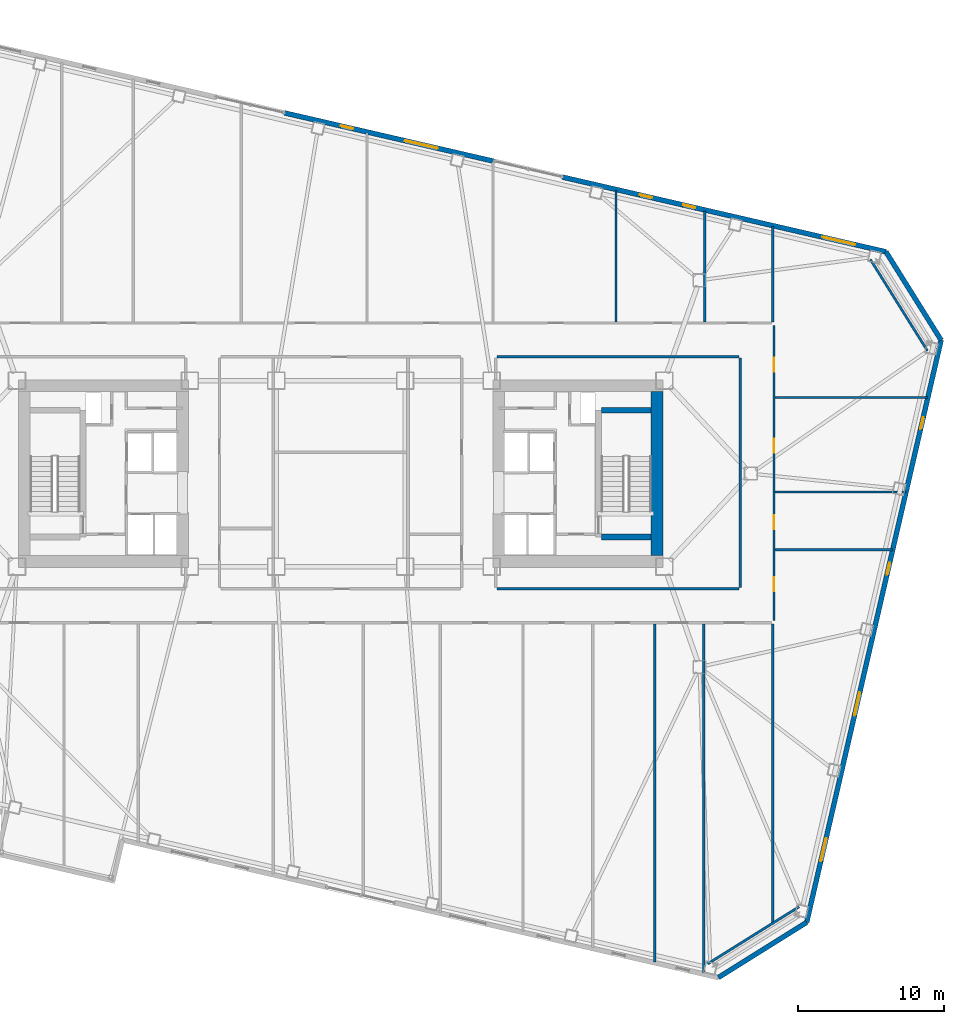
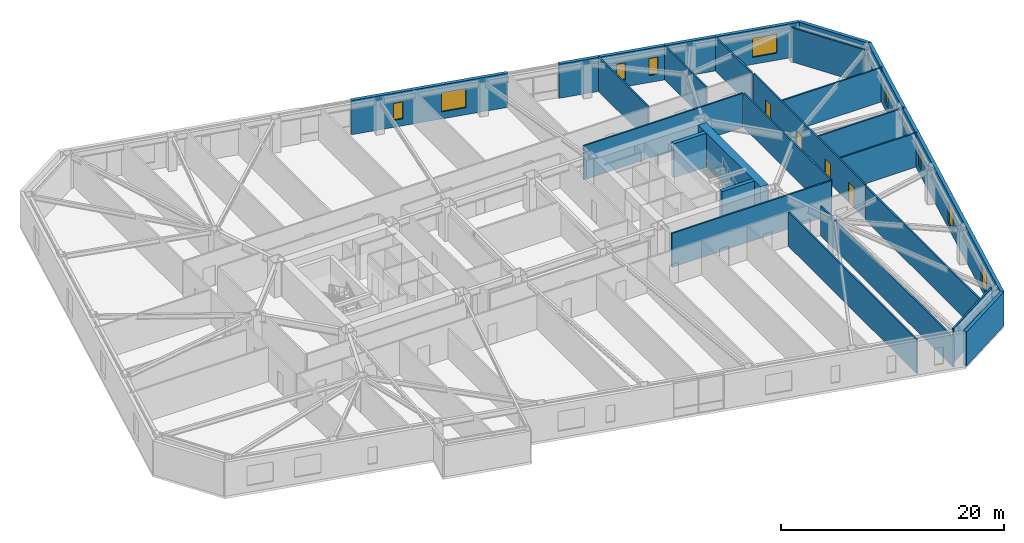
# One storey, part 12 of 18: 23 walls, 9 windows, 4 doors, 13 openings.
"""IFC4 building model written with IfcOpenShell, lengths in metres."""

from ifc_helpers import new_model, si_unit, direction, frame, frame_2d, origin, place, context, subcontext, project, spatial, rectangle, extrude, material, layer, layer_set, type_object, element, fill, save


model = new_model("IFC4")

# Units and contexts
model_context = context("Model", 3, precision=1e-05, world=origin(), true_north=direction((0.0, 1.0)))
body_context = subcontext(model_context, "Body", "Model", "MODEL_VIEW")
ifc_project = project(units=[si_unit("LENGTHUNIT", "METRE"), si_unit("AREAUNIT", "SQUARE_METRE"), si_unit("VOLUMEUNIT", "CUBIC_METRE"), si_unit("PLANEANGLEUNIT", "RADIAN"), si_unit("MASSUNIT", "GRAM", prefix="KILO")], contexts=[model_context])

# Site, building, storey
site_placement = place(None, origin())
site = spatial("IfcSite", under=ifc_project, at=site_placement, CompositionType="ELEMENT")
building_placement = place(site_placement, origin())
building = spatial("IfcBuilding", under=site, at=building_placement, Name="Tavrogorsk Clinical Tower", CompositionType="ELEMENT")
storey_placement = place(building_placement, frame((0.0, 0.0, 51.39990234375)))
storey = spatial("IfcBuildingStorey", under=building, at=storey_placement, Name="L10", CompositionType="ELEMENT", Elevation=51.39990234375)

# Walls
ifc_material_1 = material(Name="Lightweight concrete blockwork B15", Category="masonry")
ifc_layer_1 = layer(ifc_material_1, 0.159912109375)
ifc_layer_set_1 = layer_set([ifc_layer_1], Name="Lightweight concrete blockwork B15")
wall_type_1 = type_object("IfcWallType", Name="PartitionWall_160", PredefinedType="PARTITIONING", material=ifc_layer_set_1)
for number, where, z_axis, x_axis, name in (
    (1, (25.0595703125, -33.46826171875, 0.0), (0.0, 0.0, 1.0), (0.848043064089, 0.529927317139, 0.0), "L10 Corner Exoskeleton Brace Furring Wall 1"),
    (2, (40.059814453125, 8.389404296875, 0.0), (0.0, 0.0, 1.0), (-0.529927317139, 0.848043064089, 0.0), "L10 Corner Exoskeleton Brace Furring Wall 2"),
):
    element("IfcWall", number, at=place(storey_placement, frame(where, z_axis=z_axis, x_axis=x_axis)), inside=storey, type_object=wall_type_1, Name=name, PredefinedType="PARTITIONING", context=body_context, shape_type="SweptSolid", body=[
        extrude(rectangle(XDim=7.353759765625, YDim=0.159912109375, at=frame_2d((3.6767578125, 0.0))), origin(), (0.0, 0.0, 1.0), 3.739990234375),
    ])

# Wall, openings, doors
wall_1_placement = place(storey_placement, frame((29.580078125, 10.114990234375, 0.0), z_axis=(0.0, 0.0, 1.0), x_axis=(0.0, -1.0, 0.0)))
wall_1 = element("IfcWall", 3, at=wall_1_placement, inside=storey, type_object=wall_type_1, Name="L10 Corridor Partition 03", PredefinedType="PARTITIONING", context=body_context, shape_type="SweptSolid", body=[
    extrude(rectangle(XDim=20.1298828125, YDim=0.159912109375, at=frame_2d((10.06494140625, 0.0))), origin(), (0.0, 0.0, 1.0), 3.739990234375),
])
opening_1_placement = place(wall_1_placement, frame((17.180908203125, 0.0, 0.0)))
opening_1 = element("IfcOpeningElement", 4, at=opening_1_placement, cuts=wall_1, Name="Opening ID-02", PredefinedType="OPENING", context=body_context, shape_type="SweptSolid", body=[
    extrude(rectangle(XDim=0.949951171875, YDim=2.199951171875, at=frame_2d((0.47509765625, 1.10009765625))), frame((0.0, 0.08984375, 0.0), z_axis=(0.0, -1.0, 0.0), x_axis=(1.0, 0.0, 0.0)), (0.0, 0.0, 1.0), 0.179931640625),
])
opening_2_placement = place(wall_1_placement, frame((12.949951171875, 0.0, 0.0)))
opening_2 = element("IfcOpeningElement", 5, at=opening_2_placement, cuts=wall_1, Name="Opening ID-02", PredefinedType="OPENING", context=body_context, shape_type="SweptSolid", body=[
    extrude(rectangle(XDim=0.949951171875, YDim=2.199951171875, at=frame_2d((0.47509765625, 1.10009765625))), frame((0.0, 0.08984375, 0.0), z_axis=(0.0, -1.0, 0.0), x_axis=(1.0, 0.0, 0.0)), (0.0, 0.0, 1.0), 0.179931640625),
])
opening_3_placement = place(wall_1_placement, frame((7.75, 0.0, 0.0)))
opening_3 = element("IfcOpeningElement", 6, at=opening_3_placement, cuts=wall_1, Name="Opening ID-02", PredefinedType="OPENING", context=body_context, shape_type="SweptSolid", body=[
    extrude(rectangle(XDim=0.949951171875, YDim=2.199951171875, at=frame_2d((0.47509765625, 1.10009765625))), frame((0.0, 0.08984375, 0.0), z_axis=(0.0, -1.0, 0.0), x_axis=(1.0, 0.0, 0.0)), (0.0, 0.0, 1.0), 0.179931640625),
])
opening_4_placement = place(wall_1_placement, frame((2.218994140625, 0.0, 0.0)))
opening_4 = element("IfcOpeningElement", 7, at=opening_4_placement, cuts=wall_1, Name="Opening ID-02", PredefinedType="OPENING", context=body_context, shape_type="SweptSolid", body=[
    extrude(rectangle(XDim=0.949951171875, YDim=2.199951171875, at=frame_2d((0.47509765625, 1.10009765625))), frame((0.0, 0.08984375, 0.0), z_axis=(0.0, -1.0, 0.0), x_axis=(1.0, 0.0, 0.0)), (0.0, 0.0, 1.0), 0.179931640625),
])
ifc_material_2 = material(Name="Laminated timber leaf on aluminium frame", Category="wood")
door_type = type_object("IfcDoorType", Name="InteriorDoor_ID02_950", OperationType="NOTDEFINED", PredefinedType="DOOR", material=ifc_material_2)
door_1_placement = place(opening_1_placement, origin())
door_1 = element("IfcDoor", 8, at=door_1_placement, inside=storey, type_object=door_type, Name="L10 E Senior Clinician Suite 1 Door", OperationType="SINGLE_SWING_LEFT", OverallHeight=2.199951171875, OverallWidth=0.949951171875, PredefinedType="DOOR", context=body_context, shape_type="SweptSolid", body=[
    extrude(rectangle(XDim=0.949951171875, YDim=2.199951171875, at=frame_2d((0.47509765625, 1.10009765625))), frame((0.0, 0.02490234375, 0.0), z_axis=(0.0, -1.0, 0.0), x_axis=(1.0, 0.0, 0.0)), (0.0, 0.0, 1.0), 0.050048828125),
])
fill(opening_1, door_1)
door_2_placement = place(opening_2_placement, origin())
door_2 = element("IfcDoor", 9, at=door_2_placement, inside=storey, type_object=door_type, Name="L10 E Multidisciplinary Seminar Suite 2 Door", OperationType="SINGLE_SWING_RIGHT", OverallHeight=2.199951171875, OverallWidth=0.949951171875, PredefinedType="DOOR", context=body_context, shape_type="SweptSolid", body=[
    extrude(rectangle(XDim=0.949951171875, YDim=2.199951171875, at=frame_2d((0.47509765625, 1.10009765625))), frame((0.0, 0.02490234375, 0.0), z_axis=(0.0, -1.0, 0.0), x_axis=(1.0, 0.0, 0.0)), (0.0, 0.0, 1.0), 0.050048828125),
])
fill(opening_2, door_2)
door_3_placement = place(opening_3_placement, origin())
door_3 = element("IfcDoor", 10, at=door_3_placement, inside=storey, type_object=door_type, Name="L10 E Specialist Consultation Room 3 Door", OperationType="SINGLE_SWING_LEFT", OverallHeight=2.199951171875, OverallWidth=0.949951171875, PredefinedType="DOOR", context=body_context, shape_type="SweptSolid", body=[
    extrude(rectangle(XDim=0.949951171875, YDim=2.199951171875, at=frame_2d((0.47509765625, 1.10009765625))), frame((0.0, 0.02490234375, 0.0), z_axis=(0.0, -1.0, 0.0), x_axis=(1.0, 0.0, 0.0)), (0.0, 0.0, 1.0), 0.050048828125),
])
fill(opening_3, door_3)
door_4_placement = place(opening_4_placement, origin())
door_4 = element("IfcDoor", 11, at=door_4_placement, inside=storey, type_object=door_type, Name="L10 E Clinical Fellows' Study 4 Door", OperationType="SINGLE_SWING_RIGHT", OverallHeight=2.199951171875, OverallWidth=0.949951171875, PredefinedType="DOOR", context=body_context, shape_type="SweptSolid", body=[
    extrude(rectangle(XDim=0.949951171875, YDim=2.199951171875, at=frame_2d((0.47509765625, 1.10009765625))), frame((0.0, 0.02490234375, 0.0), z_axis=(0.0, -1.0, 0.0), x_axis=(1.0, 0.0, 0.0)), (0.0, 0.0, 1.0), 0.050048828125),
])
fill(opening_4, door_4)

# Walls
for number, where, z_axis, x_axis, name in (
    (12, (27.18505859375, 7.969970703125, 0.0), (0.0, 0.0, 1.0), (-1.0, 0.0, 0.0), "L10 Corridor Partition 05"),
    (13, (10.6650390625, -7.8701171875, 0.0), (0.0, 0.0, 1.0), (1.0, 0.0, 0.0), "L10 Corridor Partition 08"),
):
    element("IfcWall", number, at=place(storey_placement, frame(where, z_axis=z_axis, x_axis=x_axis)), inside=storey, type_object=wall_type_1, Name=name, PredefinedType="PARTITIONING", context=body_context, shape_type="SweptSolid", body=[
        extrude(rectangle(XDim=16.52001953125, YDim=0.159912109375, at=frame_2d((8.260009765625, 0.0))), origin(), (0.0, 0.0, 1.0), 3.739990234375),
    ])
wall_2_placement = place(storey_placement, frame((27.27001953125, -7.784912109375, 0.0), z_axis=(0.0, 0.0, 1.0), x_axis=(0.0, 1.0, 0.0)))
element("IfcWall", 14, at=wall_2_placement, inside=storey, type_object=wall_type_1, Name="L10 Corridor Partition 09", PredefinedType="PARTITIONING", context=body_context, shape_type="SweptSolid", body=[
    extrude(rectangle(XDim=15.669921875, YDim=0.159912109375, at=frame_2d((7.8349609375, 0.0))), origin(), (0.0, 0.0, 1.0), 3.739990234375),
])
wall_3_placement = place(storey_placement, frame((29.5, 10.364990234375, 0.0), z_axis=(0.0, 0.0, 1.0), x_axis=(0.0, 1.0, 0.0)))
element("IfcWall", 15, at=wall_3_placement, inside=storey, type_object=wall_type_1, Name="L10 NE Wing Closure Partition", PredefinedType="PARTITIONING", context=body_context, shape_type="SweptSolid", body=[
    extrude(rectangle(XDim=6.497314453125, YDim=0.159912109375, at=frame_2d((3.24853515625, 0.0))), origin(), (0.0, 0.0, 1.0), 3.739990234375),
])
wall_4_placement = place(storey_placement, frame((29.5, -30.702880859375, 0.0), z_axis=(0.0, 0.0, 1.0), x_axis=(0.0, 1.0, 0.0)))
element("IfcWall", 16, at=wall_4_placement, inside=storey, type_object=wall_type_1, Name="L10 SE Wing Closure Partition", PredefinedType="PARTITIONING", context=body_context, shape_type="SweptSolid", body=[
    extrude(rectangle(XDim=20.43798828125, YDim=0.159912109375, at=frame_2d((10.218994140625, 0.0))), origin(), (0.0, 0.0, 1.0), 3.739990234375),
])
wall_5_placement = place(storey_placement, frame((18.800048828125, 10.364990234375, 0.0), z_axis=(0.0, 0.0, 1.0), x_axis=(0.0, 1.0, 0.0)))
element("IfcWall", 17, at=wall_5_placement, inside=storey, type_object=wall_type_1, Name="L10 North Room Partition 6", PredefinedType="PARTITIONING", context=body_context, shape_type="SweptSolid", body=[
    extrude(rectangle(XDim=8.9677734375, YDim=0.159912109375, at=frame_2d((4.48388671875, 0.0))), origin(), (0.0, 0.0, 1.0), 3.739990234375),
])
wall_6_placement = place(storey_placement, frame((24.85009765625, 10.364990234375, 0.0), z_axis=(0.0, 0.0, 1.0), x_axis=(0.0, 1.0, 0.0)))
element("IfcWall", 18, at=wall_6_placement, inside=storey, type_object=wall_type_1, Name="L10 North Room Partition 7", PredefinedType="PARTITIONING", context=body_context, shape_type="SweptSolid", body=[
    extrude(rectangle(XDim=7.57080078125, YDim=0.159912109375, at=frame_2d((3.785400390625, 0.0))), origin(), (0.0, 0.0, 1.0), 3.739990234375),
])
wall_7_placement = place(storey_placement, frame((24.800048828125, -34.106689453125, 0.0), z_axis=(0.0, 0.0, 1.0), x_axis=(0.0, 1.0, 0.0)))
element("IfcWall", 19, at=wall_7_placement, inside=storey, type_object=wall_type_1, Name="L10 South Room Partition 6", PredefinedType="PARTITIONING", context=body_context, shape_type="SweptSolid", body=[
    extrude(rectangle(XDim=23.841796875, YDim=0.159912109375, at=frame_2d((11.9208984375, 0.0))), origin(), (0.0, 0.0, 1.0), 3.235107421875),
])
wall_8_placement = place(storey_placement, frame((21.449951171875, -33.333251953125, 0.0), z_axis=(0.0, 0.0, 1.0), x_axis=(0.0, 1.0, 0.0)))
element("IfcWall", 20, at=wall_8_placement, inside=storey, type_object=wall_type_1, Name="L10 South Sub-Partition 6", PredefinedType="PARTITIONING", context=body_context, shape_type="SweptSolid", body=[
    extrude(rectangle(XDim=23.068359375, YDim=0.159912109375, at=frame_2d((11.5341796875, 0.0))), origin(), (0.0, 0.0, 1.0), 3.739990234375),
])
wall_9_placement = place(storey_placement, frame((29.6650390625, -5.199951171875, 0.0), z_axis=(0.0, 0.0, 1.0), x_axis=(1.0, 0.0, 0.0)))
element("IfcWall", 21, at=wall_9_placement, inside=storey, type_object=wall_type_1, Name="L10 E Wing Divider 1", PredefinedType="PARTITIONING", context=body_context, shape_type="SweptSolid", body=[
    extrude(rectangle(XDim=8.007080078125, YDim=0.159912109375, at=frame_2d((4.00341796875, 0.0))), origin(), (0.0, 0.0, 1.0), 3.739990234375),
])
wall_10_placement = place(storey_placement, frame((29.6650390625, -1.25, 0.0), z_axis=(0.0, 0.0, 1.0), x_axis=(1.0, 0.0, 0.0)))
element("IfcWall", 22, at=wall_10_placement, inside=storey, type_object=wall_type_1, Name="L10 E Wing Divider 2", PredefinedType="PARTITIONING", context=body_context, shape_type="SweptSolid", body=[
    extrude(rectangle(XDim=8.9189453125, YDim=0.159912109375, at=frame_2d((4.45947265625, 0.0))), origin(), (0.0, 0.0, 1.0), 3.739990234375),
])
wall_11_placement = place(storey_placement, frame((29.6650390625, 5.199951171875, 0.0), z_axis=(0.0, 0.0, 1.0), x_axis=(1.0, 0.0, 0.0)))
element("IfcWall", 23, at=wall_11_placement, inside=storey, type_object=wall_type_1, Name="L10 E Wing Divider 3", PredefinedType="PARTITIONING", context=body_context, shape_type="SweptSolid", body=[
    extrude(rectangle(XDim=10.408203125, YDim=0.159912109375, at=frame_2d((5.2041015625, 0.0))), origin(), (0.0, 0.0, 1.0), 3.739990234375),
])

# Wall, openings, windows
ifc_material_3 = material(Name="Precast concrete B45 with limestone cladding", Category="masonry")
ifc_layer_2 = layer(ifc_material_3, 0.340087890625)
ifc_layer_set_2 = layer_set([ifc_layer_2], Name="Precast concrete B45 with limestone cladding")
wall_type_2 = type_object("IfcWallType", Name="PrecastLimestoneWall_340", PredefinedType="STANDARD", material=ifc_layer_set_2)
wall_12_placement = place(storey_placement, frame((37.228515625, 15.14990234375, 0.0), z_axis=(0.0, 0.0, 1.0), x_axis=(-0.97436993772, 0.224951604723, 0.0)))
wall_12 = element("IfcWall", 24, at=wall_12_placement, inside=storey, type_object=wall_type_2, Name="L10 N Limestone Facade Wall 1", PredefinedType="STANDARD", context=body_context, shape_type="SweptSolid", body=[
    extrude(rectangle(XDim=22.6513671875, YDim=0.340087890625, at=frame_2d((11.32568359375, 0.0))), origin(), (0.0, 0.0, 1.0), 3.739990234375),
])
opening_5_placement = place(wall_12_placement, frame((16.39501953125, 0.0, 0.77001953125)))
opening_5 = element("IfcOpeningElement", 25, at=opening_5_placement, cuts=wall_12, Name="Opening WN-06", PredefinedType="OPENING", context=body_context, shape_type="SweptSolid", body=[
    extrude(rectangle(XDim=0.85009765625, YDim=1.85009765625, at=frame_2d((0.425048828125, 0.925048828125))), frame((0.0, 0.179931640625, 0.0), z_axis=(0.0, -1.0, 0.0), x_axis=(1.0, 0.0, 0.0)), (0.0, 0.0, 1.0), 0.360107421875),
])
opening_6_placement = place(wall_12_placement, frame((13.360595703125, 0.0, 0.77001953125)))
opening_6 = element("IfcOpeningElement", 26, at=opening_6_placement, cuts=wall_12, Name="Opening WN-06", PredefinedType="OPENING", context=body_context, shape_type="SweptSolid", body=[
    extrude(rectangle(XDim=0.85009765625, YDim=1.85009765625, at=frame_2d((0.425048828125, 0.925048828125))), frame((0.0, 0.179931640625, 0.0), z_axis=(0.0, -1.0, 0.0), x_axis=(1.0, 0.0, 0.0)), (0.0, 0.0, 1.0), 0.360107421875),
])
opening_7_placement = place(wall_12_placement, frame((2.162109375, 0.0, 0.77001953125)))
opening_7 = element("IfcOpeningElement", 27, at=opening_7_placement, cuts=wall_12, Name="Opening WN-12", PredefinedType="OPENING", context=body_context, shape_type="SweptSolid", body=[
    extrude(rectangle(XDim=2.300048828125, YDim=2.10009765625, at=frame_2d((1.14990234375, 1.050048828125))), frame((0.0, 0.179931640625, 0.0), z_axis=(0.0, -1.0, 0.0), x_axis=(1.0, 0.0, 0.0)), (0.0, 0.0, 1.0), 0.360107421875),
])
ifc_material_4 = material(Name="Thermally broken aluminium frame and triple IGU", Category="aluminium")
window_type_1 = type_object("IfcWindowType", Name="MullionSubWin_850x1850", PartitioningType="SINGLE_PANEL", PredefinedType="WINDOW", material=ifc_material_4)
window_1_placement = place(opening_5_placement, origin())
window_1 = element("IfcWindow", 28, at=window_1_placement, inside=storey, type_object=window_type_1, Name="L10 N Mullion Split Window 07A", OverallHeight=1.85009765625, OverallWidth=0.85009765625, PartitioningType="SINGLE_PANEL", PredefinedType="WINDOW", context=body_context, shape_type="SweptSolid", body=[
    extrude(rectangle(XDim=0.85009765625, YDim=1.85009765625, at=frame_2d((0.425048828125, 0.925048828125))), frame((0.0, 0.030029296875, 0.0), z_axis=(0.0, -1.0, 0.0), x_axis=(1.0, 0.0, 0.0)), (0.0, 0.0, 1.0), 0.06005859375),
])
fill(opening_5, window_1)
window_2_placement = place(opening_6_placement, origin())
window_2 = element("IfcWindow", 29, at=window_2_placement, inside=storey, type_object=window_type_1, Name="L10 N Mullion Split Window 08B", OverallHeight=1.85009765625, OverallWidth=0.85009765625, PartitioningType="SINGLE_PANEL", PredefinedType="WINDOW", context=body_context, shape_type="SweptSolid", body=[
    extrude(rectangle(XDim=0.85009765625, YDim=1.85009765625, at=frame_2d((0.425048828125, 0.925048828125))), frame((0.0, 0.030029296875, 0.0), z_axis=(0.0, -1.0, 0.0), x_axis=(1.0, 0.0, 0.0)), (0.0, 0.0, 1.0), 0.06005859375),
])
fill(opening_6, window_2)
ifc_material_5 = material(Name="Thermally broken aluminium frame and triple IGU", Category="aluminium")
window_type_2 = type_object("IfcWindowType", Name="RecoveryWin_2300x2100", PartitioningType="DOUBLE_PANEL_VERTICAL", PredefinedType="WINDOW", material=ifc_material_5)
window_3_placement = place(opening_7_placement, origin())
window_3 = element("IfcWindow", 30, at=window_3_placement, inside=storey, type_object=window_type_2, Name="L10 N Chicago Window 10", OverallHeight=2.10009765625, OverallWidth=2.300048828125, PartitioningType="SINGLE_PANEL", PredefinedType="WINDOW", context=body_context, shape_type="SweptSolid", body=[
    extrude(rectangle(XDim=2.300048828125, YDim=2.10009765625, at=frame_2d((1.14990234375, 1.050048828125))), frame((0.0, 0.030029296875, 0.0), z_axis=(0.0, -1.0, 0.0), x_axis=(1.0, 0.0, 0.0)), (0.0, 0.0, 1.0), 0.06005859375),
])
fill(opening_7, window_3)

wall_13_placement = place(storey_placement, frame((10.480712890625, 21.3251953125, 0.0), z_axis=(0.0, 0.0, 1.0), x_axis=(-0.974369353393, 0.2249541357, 0.0)))
wall_13 = element("IfcWall", 31, at=wall_13_placement, inside=storey, type_object=wall_type_2, Name="L10 N Limestone Facade Wall 2", PredefinedType="STANDARD", context=body_context, shape_type="SweptSolid", body=[
    extrude(rectangle(XDim=14.697021484375, YDim=0.340087890625, at=frame_2d((7.3486328125, 0.0))), origin(), (0.0, 0.0, 1.0), 3.739990234375),
])
opening_8_placement = place(wall_13_placement, frame((9.890869140625, 0.0, 0.77001953125)))
opening_8 = element("IfcOpeningElement", 32, at=opening_8_placement, cuts=wall_13, Name="Opening WN-06", PredefinedType="OPENING", context=body_context, shape_type="SweptSolid", body=[
    extrude(rectangle(XDim=0.85009765625, YDim=1.85009765625, at=frame_2d((0.425048828125, 0.925048828125))), frame((0.0, 0.179931640625, 0.0), z_axis=(0.0, -1.0, 0.0), x_axis=(1.0, 0.0, 0.0)), (0.0, 0.0, 1.0), 0.360107421875),
])
opening_9_placement = place(wall_13_placement, frame((3.956298828125, 0.0, 0.77001953125)))
opening_9 = element("IfcOpeningElement", 33, at=opening_9_placement, cuts=wall_13, Name="Opening WN-12", PredefinedType="OPENING", context=body_context, shape_type="SweptSolid", body=[
    extrude(rectangle(XDim=2.300048828125, YDim=2.10009765625, at=frame_2d((1.14990234375, 1.050048828125))), frame((0.0, 0.179931640625, 0.0), z_axis=(0.0, -1.0, 0.0), x_axis=(1.0, 0.0, 0.0)), (0.0, 0.0, 1.0), 0.360107421875),
])
window_4_placement = place(opening_8_placement, origin())
window_4 = element("IfcWindow", 34, at=window_4_placement, inside=storey, type_object=window_type_1, Name="L10 N Mullion Split Window 05B", OverallHeight=1.85009765625, OverallWidth=0.85009765625, PartitioningType="SINGLE_PANEL", PredefinedType="WINDOW", context=body_context, shape_type="SweptSolid", body=[
    extrude(rectangle(XDim=0.85009765625, YDim=1.85009765625, at=frame_2d((0.425048828125, 0.925048828125))), frame((0.0, 0.030029296875, 0.0), z_axis=(0.0, -1.0, 0.0), x_axis=(1.0, 0.0, 0.0)), (0.0, 0.0, 1.0), 0.06005859375),
])
fill(opening_8, window_4)
window_5_placement = place(opening_9_placement, origin())
window_5 = element("IfcWindow", 35, at=window_5_placement, inside=storey, type_object=window_type_2, Name="L10 N Chicago Window 06", OverallHeight=2.10009765625, OverallWidth=2.300048828125, PartitioningType="SINGLE_PANEL", PredefinedType="WINDOW", context=body_context, shape_type="SweptSolid", body=[
    extrude(rectangle(XDim=2.300048828125, YDim=2.10009765625, at=frame_2d((1.14990234375, 1.050048828125))), frame((0.0, 0.030029296875, 0.0), z_axis=(0.0, -1.0, 0.0), x_axis=(1.0, 0.0, 0.0)), (0.0, 0.0, 1.0), 0.06005859375),
])
fill(opening_9, window_5)

wall_14_placement = place(storey_placement, frame((31.820068359375, -30.636962890625, 0.0), z_axis=(0.0, 0.0, 1.0), x_axis=(0.224949969076, 0.974370315338, 0.0)))
wall_14 = element("IfcWall", 36, at=wall_14_placement, inside=storey, type_object=wall_type_2, Name="L10 E Pleated Limestone Wing Wall", PredefinedType="STANDARD", context=body_context, shape_type="SweptSolid", body=[
    extrude(rectangle(XDim=40.800048828125, YDim=0.340087890625, at=frame_2d((20.39990234375, 0.0))), origin(), (0.0, 0.0, 1.0), 3.739990234375),
])
opening_10_placement = place(wall_14_placement, frame((4.300048828125, 0.0, 0.580078125)))
opening_10 = element("IfcOpeningElement", 37, at=opening_10_placement, cuts=wall_14, Name="Opening WN-07", PredefinedType="OPENING", context=body_context, shape_type="SweptSolid", body=[
    extrude(rectangle(XDim=1.60009765625, YDim=2.300048828125, at=frame_2d((0.800048828125, 1.14990234375))), frame((0.0, 0.179931640625, 0.0), z_axis=(0.0, -1.0, 0.0), x_axis=(1.0, 0.0, 0.0)), (0.0, 0.0, 1.0), 0.360107421875),
])
opening_11_placement = place(wall_14_placement, frame((14.5, 0.0, 0.580078125)))
opening_11 = element("IfcOpeningElement", 38, at=opening_11_placement, cuts=wall_14, Name="Opening WN-07", PredefinedType="OPENING", context=body_context, shape_type="SweptSolid", body=[
    extrude(rectangle(XDim=1.60009765625, YDim=2.300048828125, at=frame_2d((0.800048828125, 1.14990234375))), frame((0.0, 0.179931640625, 0.0), z_axis=(0.0, -1.0, 0.0), x_axis=(1.0, 0.0, 0.0)), (0.0, 0.0, 1.0), 0.360107421875),
])
opening_12_placement = place(wall_14_placement, frame((24.35009765625, 0.0, 0.75)))
opening_12 = element("IfcOpeningElement", 39, at=opening_12_placement, cuts=wall_14, Name="Opening WN-06", PredefinedType="OPENING", context=body_context, shape_type="SweptSolid", body=[
    extrude(rectangle(XDim=0.85009765625, YDim=1.85009765625, at=frame_2d((0.425048828125, 0.925048828125))), frame((0.0, 0.179931640625, 0.0), z_axis=(0.0, -1.0, 0.0), x_axis=(1.0, 0.0, 0.0)), (0.0, 0.0, 1.0), 0.360107421875),
])
opening_13_placement = place(wall_14_placement, frame((34.550048828125, 0.0, 0.75)))
opening_13 = element("IfcOpeningElement", 40, at=opening_13_placement, cuts=wall_14, Name="Opening WN-06", PredefinedType="OPENING", context=body_context, shape_type="SweptSolid", body=[
    extrude(rectangle(XDim=0.85009765625, YDim=1.85009765625, at=frame_2d((0.425048828125, 0.925048828125))), frame((0.0, 0.179931640625, 0.0), z_axis=(0.0, -1.0, 0.0), x_axis=(1.0, 0.0, 0.0)), (0.0, 0.0, 1.0), 0.360107421875),
])
window_6_placement = place(opening_12_placement, origin())
window_6 = element("IfcWindow", 41, at=window_6_placement, inside=storey, type_object=window_type_1, Name="L10 E Pleat Mullion Window 3A", OverallHeight=1.85009765625, OverallWidth=0.85009765625, PartitioningType="SINGLE_PANEL", PredefinedType="WINDOW", context=body_context, shape_type="SweptSolid", body=[
    extrude(rectangle(XDim=0.85009765625, YDim=1.85009765625, at=frame_2d((0.425048828125, 0.925048828125))), frame((0.0, 0.030029296875, 0.0), z_axis=(0.0, -1.0, 0.0), x_axis=(1.0, 0.0, 0.0)), (0.0, 0.0, 1.0), 0.06005859375),
])
fill(opening_12, window_6)
window_7_placement = place(opening_13_placement, origin())
window_7 = element("IfcWindow", 42, at=window_7_placement, inside=storey, type_object=window_type_1, Name="L10 E Pleat Mullion Window 4A", OverallHeight=1.85009765625, OverallWidth=0.85009765625, PartitioningType="SINGLE_PANEL", PredefinedType="WINDOW", context=body_context, shape_type="SweptSolid", body=[
    extrude(rectangle(XDim=0.85009765625, YDim=1.85009765625, at=frame_2d((0.425048828125, 0.925048828125))), frame((0.0, 0.030029296875, 0.0), z_axis=(0.0, -1.0, 0.0), x_axis=(1.0, 0.0, 0.0)), (0.0, 0.0, 1.0), 0.06005859375),
])
fill(opening_13, window_7)
ifc_material_6 = material(Name="Thermally broken aluminium frame and triple IGU", Category="aluminium")
window_type_3 = type_object("IfcWindowType", Name="PleatSlotWin_1600x2300", PartitioningType="SINGLE_PANEL", PredefinedType="WINDOW", material=ifc_material_6)
window_8_placement = place(opening_10_placement, origin())
window_8 = element("IfcWindow", 43, at=window_8_placement, inside=storey, type_object=window_type_3, Name="L10 E Pleat Slot Window 1", OverallHeight=2.300048828125, OverallWidth=1.60009765625, PartitioningType="SINGLE_PANEL", PredefinedType="WINDOW", context=body_context, shape_type="SweptSolid", body=[
    extrude(rectangle(XDim=1.60009765625, YDim=2.300048828125, at=frame_2d((0.800048828125, 1.14990234375))), frame((0.0, 0.030029296875, 0.0), z_axis=(0.0, -1.0, 0.0), x_axis=(1.0, 0.0, 0.0)), (0.0, 0.0, 1.0), 0.06005859375),
])
fill(opening_10, window_8)
window_9_placement = place(opening_11_placement, origin())
window_9 = element("IfcWindow", 44, at=window_9_placement, inside=storey, type_object=window_type_3, Name="L10 E Pleat Slot Window 2", OverallHeight=2.300048828125, OverallWidth=1.60009765625, PartitioningType="SINGLE_PANEL", PredefinedType="WINDOW", context=body_context, shape_type="SweptSolid", body=[
    extrude(rectangle(XDim=1.60009765625, YDim=2.300048828125, at=frame_2d((0.800048828125, 1.14990234375))), frame((0.0, 0.030029296875, 0.0), z_axis=(0.0, -1.0, 0.0), x_axis=(1.0, 0.0, 0.0)), (0.0, 0.0, 1.0), 0.06005859375),
])
fill(opening_11, window_9)

# Walls
for number, where, z_axis, x_axis, name in (
    (45, (25.78759765625, -34.406494140625, 0.0), (0.0, 0.0, 1.0), (0.848046504656, 0.529921811158, 0.0), "L10 Chamfered Corner Wall 1"),
    (46, (40.998046875, 9.117431640625, 0.0), (0.0, 0.0, 1.0), (-0.529921811158, 0.848046504656, 0.0), "L10 Chamfered Corner Wall 2"),
):
    element("IfcWall", number, at=place(storey_placement, frame(where, z_axis=z_axis, x_axis=x_axis)), inside=storey, type_object=wall_type_2, Name=name, PredefinedType="STANDARD", context=body_context, shape_type="SweptSolid", body=[
        extrude(rectangle(XDim=7.11328125, YDim=0.340087890625, at=frame_2d((3.556640625, 0.0))), origin(), (0.0, 0.0, 1.0), 3.739990234375),
    ])
ifc_material_7 = material(Name="Concrete B80", Category="concrete")
ifc_layer_3 = layer(ifc_material_7, 0.39990234375)
ifc_layer_set_3 = layer_set([ifc_layer_3], Name="Concrete B80")
wall_type_3 = type_object("IfcWallType", Name="ShearWall_400", PredefinedType="SHEAR", material=ifc_layer_set_3)
for number, where, z_axis, x_axis, name in (
    (47, (17.800048828125, -4.324951171875, 0.0), (0.0, 0.0, 1.0), (1.0, 0.0, 0.0), "L10 Core East Stair Shaft South Shear Wall"),
    (48, (17.800048828125, 4.324951171875, 0.0), (0.0, 0.0, 1.0), (1.0, 0.0, 0.0), "L10 Core East Stair Shaft North Shear Wall"),
):
    element("IfcWall", number, at=place(storey_placement, frame(where, z_axis=z_axis, x_axis=x_axis)), inside=storey, type_object=wall_type_3, Name=name, PredefinedType="SHEAR", context=body_context, shape_type="SweptSolid", body=[
        extrude(rectangle(XDim=3.39990234375, YDim=0.39990234375, at=frame_2d((1.699951171875, 0.0))), origin(), (0.0, 0.0, 1.0), 3.739990234375),
    ])
ifc_material_8 = material(Name="Concrete B80", Category="concrete")
ifc_layer_4 = layer(ifc_material_8, 0.800048828125)
ifc_layer_set_4 = layer_set([ifc_layer_4], Name="Concrete B80")
wall_type_4 = type_object("IfcWallType", Name="ShearWall_800", PredefinedType="SHEAR", material=ifc_layer_set_4)
wall_15_placement = place(storey_placement, frame((21.60009765625, -5.60009765625, 0.0), z_axis=(0.0, 0.0, 1.0), x_axis=(0.0, 1.0, 0.0)))
element("IfcWall", 49, at=wall_15_placement, inside=storey, type_object=wall_type_4, Name="L10 Core East End Shear Wall", PredefinedType="SHEAR", context=body_context, shape_type="SweptSolid", body=[
    extrude(rectangle(XDim=11.2001953125, YDim=0.800048828125, at=frame_2d((5.60009765625, 0.0))), origin(), (0.0, 0.0, 1.0), 3.739990234375),
])

save(model, "model.ifc")
